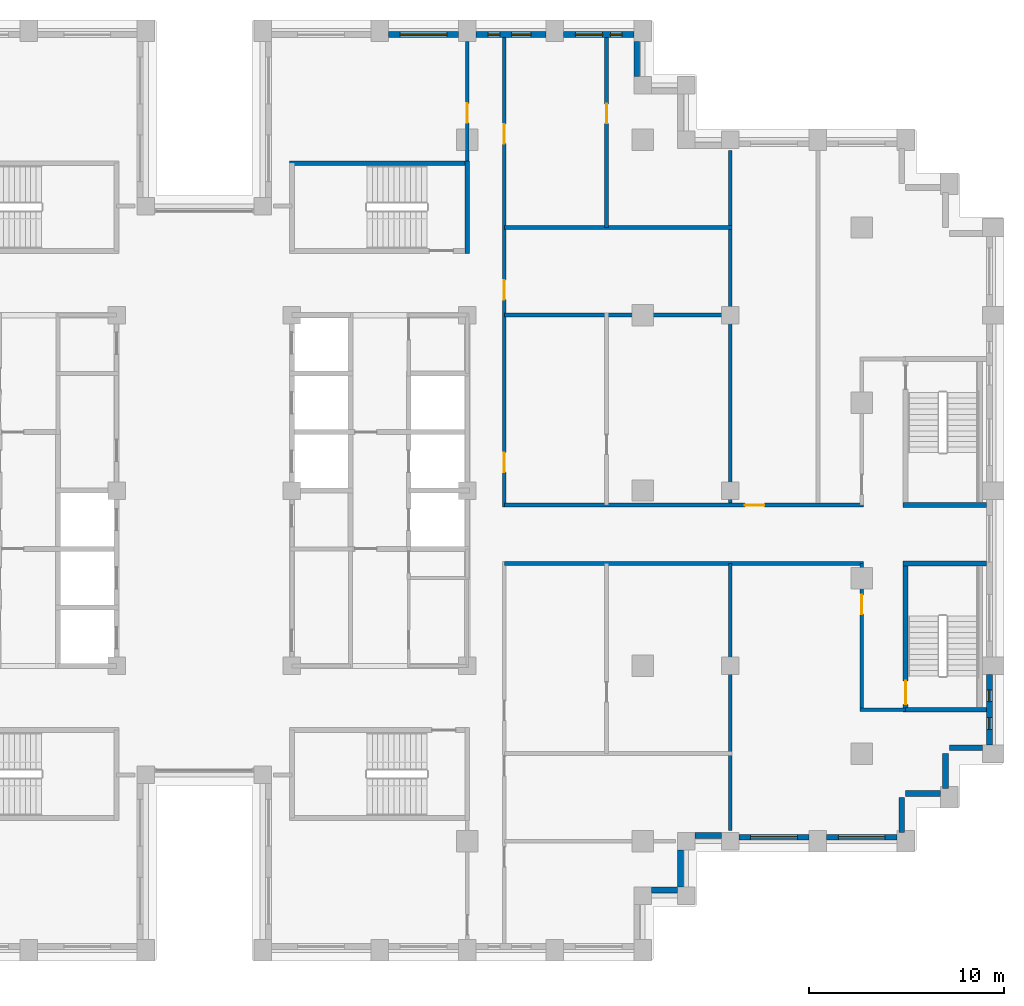
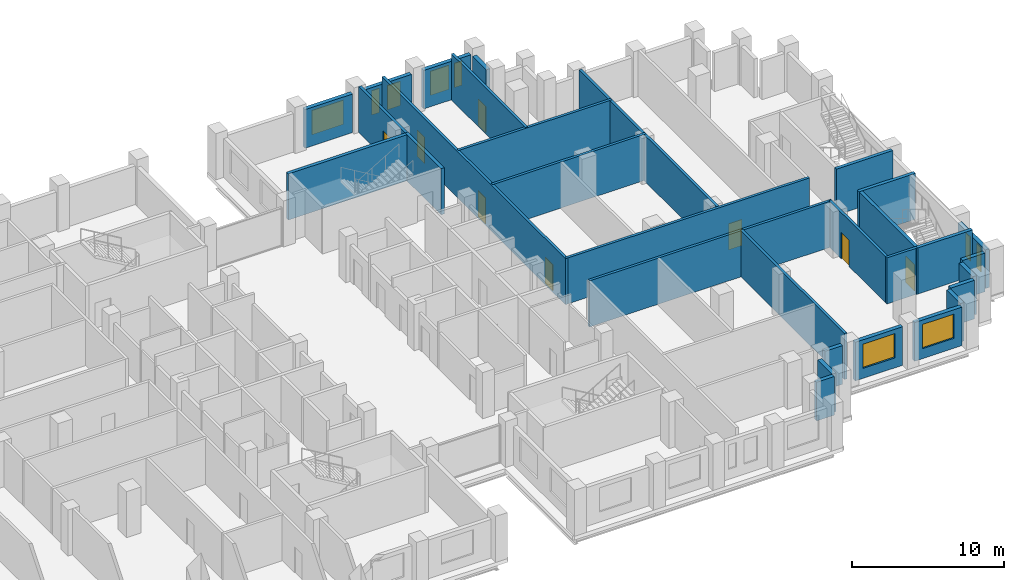
# One storey, part 11 of 15: 31 walls, 9 windows, 8 doors, 17 openings.
"""IFC4 building model written with IfcOpenShell, lengths in metres."""

from ifc_helpers import new_model, si_unit, direction, frame, frame_2d, origin, place, context, subcontext, project, spatial, rectangle, extrude, material, layer, layer_set, type_object, element, fill, save


model = new_model("IFC4")

# Units and contexts
model_context = context("Model", 3, precision=1e-05, world=origin(), true_north=direction((0.0, 1.0)))
body_context = subcontext(model_context, "Body", "Model", "MODEL_VIEW")
ifc_project = project(units=[si_unit("LENGTHUNIT", "METRE"), si_unit("AREAUNIT", "SQUARE_METRE"), si_unit("VOLUMEUNIT", "CUBIC_METRE"), si_unit("PLANEANGLEUNIT", "RADIAN"), si_unit("MASSUNIT", "GRAM", prefix="KILO")], contexts=[model_context])

# Site, building, storey
site_placement = place(None, origin())
site = spatial("IfcSite", under=ifc_project, at=site_placement, CompositionType="ELEMENT")
building_placement = place(site_placement, origin())
building = spatial("IfcBuilding", under=site, at=building_placement, Name="Corbelhall Arena Tower", CompositionType="ELEMENT")
storey_placement = place(building_placement, frame((0.0, 0.0, 134.0)))
storey = spatial("IfcBuildingStorey", under=building, at=storey_placement, Name="L25", CompositionType="ELEMENT", Elevation=134.0)

# Walls
ifc_material_1 = material(Name="Precast concrete C40/50 with granite facing", Category="masonry")
ifc_layer_1 = layer(ifc_material_1, 0.300048828125)
ifc_layer_set_1 = layer_set([ifc_layer_1], Name="EV-IW1 Infill panel 300")
wall_type_1 = type_object("IfcWallType", Name="EV-IW1 Infill panel 300", PredefinedType="SOLIDWALL", material=ifc_layer_set_1)
for number, where, z_axis, x_axis, name in (
    (1, (35.800048828125, -17.550048828125, 0.0), (0.0, 0.0, 1.0), (0.0, 1.0, 0.0), "Infill panel IW1"),
    (2, (37.800048828125, -15.550048828125, 0.0), (0.0, 0.0, 1.0), (-1.0, 0.0, 0.0), "Infill panel IW1"),
    (3, (38.050048828125, -15.300048828125, 0.0), (0.0, 0.0, 1.0), (0.0, 1.0, 0.0), "Infill panel IW1"),
):
    element("IfcWall", number, at=place(storey_placement, frame(where, z_axis=z_axis, x_axis=x_axis)), inside=storey, type_object=wall_type_1, Name=name, PredefinedType="SOLIDWALL", context=body_context, shape_type="SweptSolid", body=[
        extrude(rectangle(XDim=1.800048828125, YDim=0.300048828125, at=frame_2d((0.89990234375, 0.0))), origin(), (0.0, 0.0, 1.0), 3.10009765625),
    ])
wall_1_placement = place(storey_placement, frame((39.949951171875, -13.199951171875, 0.0), z_axis=(0.0, 0.0, 1.0), x_axis=(-1.0, 0.0, 0.0)))
element("IfcWall", 4, at=wall_1_placement, inside=storey, type_object=wall_type_1, Name="Infill panel IW1", PredefinedType="SOLIDWALL", context=body_context, shape_type="SweptSolid", body=[
    extrude(rectangle(XDim=1.699951171875, YDim=0.300048828125, at=frame_2d((0.85009765625, 0.0))), origin(), (0.0, 0.0, 1.0), 3.10009765625),
])
wall_2_placement = place(storey_placement, frame((22.949951171875, -20.5, 0.0), z_axis=(0.0, 0.0, 1.0), x_axis=(1.0, 0.0, 0.0)))
element("IfcWall", 5, at=wall_2_placement, inside=storey, type_object=wall_type_1, Name="Infill panel IW1", PredefinedType="SOLIDWALL", context=body_context, shape_type="SweptSolid", body=[
    extrude(rectangle(XDim=1.35009765625, YDim=0.300048828125, at=frame_2d((0.675048828125, 0.0))), origin(), (0.0, 0.0, 1.0), 3.10009765625),
])
wall_3_placement = place(storey_placement, frame((24.449951171875, -20.35009765625, 0.0), z_axis=(0.0, 0.0, 1.0), x_axis=(0.0, 1.0, 0.0)))
element("IfcWall", 6, at=wall_3_placement, inside=storey, type_object=wall_type_1, Name="Infill panel IW1", PredefinedType="SOLIDWALL", context=body_context, shape_type="SweptSolid", body=[
    extrude(rectangle(XDim=1.900146484375, YDim=0.300048828125, at=frame_2d((0.9501953125, 0.0))), origin(), (0.0, 0.0, 1.0), 3.10009765625),
])
wall_4_placement = place(storey_placement, frame((25.199951171875, -17.699951171875, 0.0), z_axis=(0.0, 0.0, 1.0), x_axis=(1.0, 0.0, 0.0)))
element("IfcWall", 7, at=wall_4_placement, inside=storey, type_object=wall_type_1, Name="Infill panel IW1", PredefinedType="SOLIDWALL", context=body_context, shape_type="SweptSolid", body=[
    extrude(rectangle(XDim=1.35009765625, YDim=0.300048828125, at=frame_2d((0.675048828125, 0.0))), origin(), (0.0, 0.0, 1.0), 3.10009765625),
])

# Wall, opening, window
wall_5_placement = place(storey_placement, frame((27.449951171875, -17.800048828125, 0.0), z_axis=(0.0, 0.0, 1.0), x_axis=(1.0, 0.0, 0.0)))
wall_5 = element("IfcWall", 8, at=wall_5_placement, inside=storey, type_object=wall_type_1, Name="Infill panel IW1", PredefinedType="SOLIDWALL", context=body_context, shape_type="SweptSolid", body=[
    extrude(rectangle(XDim=3.60009765625, YDim=0.300048828125, at=frame_2d((1.800048828125, 0.0))), origin(), (0.0, 0.0, 1.0), 3.10009765625),
])
opening_1_placement = place(wall_5_placement, frame((0.60009765625, 0.0, 0.800048828125)))
opening_1 = element("IfcOpeningElement", 9, at=opening_1_placement, cuts=wall_5, Name="Opening WN1", PredefinedType="OPENING", context=body_context, shape_type="SweptSolid", body=[
    extrude(rectangle(XDim=2.39990234375, YDim=1.949951171875, at=frame_2d((1.199951171875, 0.97509765625))), frame((0.0, 0.14990234375, 0.0), z_axis=(0.0, -1.0, 0.0), x_axis=(1.0, 0.0, 0.0)), (0.0, 0.0, 1.0), 0.300048828125),
])
ifc_material_2 = material(Name="Aluminium black anodised", Category="aluminium")
window_type_1 = type_object("IfcWindowType", Name="EV-WN1 Office window", PartitioningType="SINGLE_PANEL", PredefinedType="WINDOW", material=ifc_material_2)
window_1_placement = place(opening_1_placement, origin())
window_1 = element("IfcWindow", 10, at=window_1_placement, inside=storey, type_object=window_type_1, Name="Window WN1", OverallHeight=1.949951171875, OverallWidth=2.39990234375, PartitioningType="SINGLE_PANEL", PredefinedType="WINDOW", context=body_context, shape_type="SweptSolid", body=[
    extrude(rectangle(XDim=2.39990234375, YDim=1.949951171875, at=frame_2d((1.199951171875, 0.97509765625))), frame((0.0, 0.030029296875, 0.0), z_axis=(0.0, -1.0, 0.0), x_axis=(1.0, 0.0, 0.0)), (0.0, 0.0, 1.0), 0.06005859375),
])
fill(opening_1, window_1)

wall_6_placement = place(storey_placement, frame((31.949951171875, -17.800048828125, 0.0), z_axis=(0.0, 0.0, 1.0), x_axis=(1.0, 0.0, 0.0)))
wall_6 = element("IfcWall", 11, at=wall_6_placement, inside=storey, type_object=wall_type_1, Name="Infill panel IW1", PredefinedType="SOLIDWALL", context=body_context, shape_type="SweptSolid", body=[
    extrude(rectangle(XDim=3.60009765625, YDim=0.300048828125, at=frame_2d((1.800048828125, 0.0))), origin(), (0.0, 0.0, 1.0), 3.10009765625),
])
opening_2_placement = place(wall_6_placement, frame((0.60009765625, 0.0, 0.800048828125)))
opening_2 = element("IfcOpeningElement", 12, at=opening_2_placement, cuts=wall_6, Name="Opening WN1", PredefinedType="OPENING", context=body_context, shape_type="SweptSolid", body=[
    extrude(rectangle(XDim=2.39990234375, YDim=1.949951171875, at=frame_2d((1.199951171875, 0.97509765625))), frame((0.0, 0.14990234375, 0.0), z_axis=(0.0, -1.0, 0.0), x_axis=(1.0, 0.0, 0.0)), (0.0, 0.0, 1.0), 0.300048828125),
])
window_2_placement = place(opening_2_placement, origin())
window_2 = element("IfcWindow", 13, at=window_2_placement, inside=storey, type_object=window_type_1, Name="Window WN1", OverallHeight=1.949951171875, OverallWidth=2.39990234375, PartitioningType="SINGLE_PANEL", PredefinedType="WINDOW", context=body_context, shape_type="SweptSolid", body=[
    extrude(rectangle(XDim=2.39990234375, YDim=1.949951171875, at=frame_2d((1.199951171875, 0.97509765625))), frame((0.0, 0.030029296875, 0.0), z_axis=(0.0, -1.0, 0.0), x_axis=(1.0, 0.0, 0.0)), (0.0, 0.0, 1.0), 0.06005859375),
])
fill(opening_2, window_2)

# Wall, openings, windows
wall_7_placement = place(storey_placement, frame((40.300048828125, -13.050048828125, 0.0), z_axis=(0.0, 0.0, 1.0), x_axis=(0.0, 1.0, 0.0)))
wall_7 = element("IfcWall", 14, at=wall_7_placement, inside=storey, type_object=wall_type_1, Name="Infill panel IW1", PredefinedType="SOLIDWALL", context=body_context, shape_type="SweptSolid", body=[
    extrude(rectangle(XDim=3.60009765625, YDim=0.300048828125, at=frame_2d((1.800048828125, 0.0))), origin(), (0.0, 0.0, 1.0), 3.10009765625),
])
opening_3_placement = place(wall_7_placement, frame((0.78759765625, 0.0, 0.800048828125)))
opening_3 = element("IfcOpeningElement", 15, at=opening_3_placement, cuts=wall_7, Name="Opening WN5", PredefinedType="OPENING", context=body_context, shape_type="SweptSolid", body=[
    extrude(rectangle(XDim=0.60009765625, YDim=1.949951171875, at=frame_2d((0.300048828125, 0.97509765625))), frame((0.0, 0.14990234375, 0.0), z_axis=(0.0, -1.0, 0.0), x_axis=(1.0, 0.0, 0.0)), (0.0, 0.0, 1.0), 0.300048828125),
])
opening_4_placement = place(wall_7_placement, frame((2.21240234375, 0.0, 0.800048828125)))
opening_4 = element("IfcOpeningElement", 16, at=opening_4_placement, cuts=wall_7, Name="Opening WN5", PredefinedType="OPENING", context=body_context, shape_type="SweptSolid", body=[
    extrude(rectangle(XDim=0.60009765625, YDim=1.949951171875, at=frame_2d((0.300048828125, 0.97509765625))), frame((0.0, 0.14990234375, 0.0), z_axis=(0.0, -1.0, 0.0), x_axis=(1.0, 0.0, 0.0)), (0.0, 0.0, 1.0), 0.300048828125),
])
window_type_2 = type_object("IfcWindowType", Name="EV-WN5 Office window 600", PartitioningType="SINGLE_PANEL", PredefinedType="WINDOW", material=ifc_material_2)
window_3_placement = place(opening_3_placement, origin())
window_3 = element("IfcWindow", 17, at=window_3_placement, inside=storey, type_object=window_type_2, Name="Window WN5", OverallHeight=1.949951171875, OverallWidth=0.60009765625, PartitioningType="SINGLE_PANEL", PredefinedType="WINDOW", context=body_context, shape_type="SweptSolid", body=[
    extrude(rectangle(XDim=0.60009765625, YDim=1.949951171875, at=frame_2d((0.300048828125, 0.97509765625))), frame((0.0, 0.030029296875, 0.0), z_axis=(0.0, -1.0, 0.0), x_axis=(1.0, 0.0, 0.0)), (0.0, 0.0, 1.0), 0.06005859375),
])
fill(opening_3, window_3)
window_4_placement = place(opening_4_placement, origin())
window_4 = element("IfcWindow", 18, at=window_4_placement, inside=storey, type_object=window_type_2, Name="Window WN5", OverallHeight=1.949951171875, OverallWidth=0.60009765625, PartitioningType="SINGLE_PANEL", PredefinedType="WINDOW", context=body_context, shape_type="SweptSolid", body=[
    extrude(rectangle(XDim=0.60009765625, YDim=1.949951171875, at=frame_2d((0.300048828125, 0.97509765625))), frame((0.0, 0.030029296875, 0.0), z_axis=(0.0, -1.0, 0.0), x_axis=(1.0, 0.0, 0.0)), (0.0, 0.0, 1.0), 0.06005859375),
])
fill(opening_4, window_4)

# Wall
wall_8_placement = place(storey_placement, frame((22.199951171875, 21.25, 0.0), z_axis=(0.0, 0.0, 1.0), x_axis=(0.0, 1.0, 0.0)))
element("IfcWall", 19, at=wall_8_placement, inside=storey, type_object=wall_type_1, Name="Infill panel IW1", PredefinedType="SOLIDWALL", context=body_context, shape_type="SweptSolid", body=[
    extrude(rectangle(XDim=1.800048828125, YDim=0.300048828125, at=frame_2d((0.89990234375, 0.0))), origin(), (0.0, 0.0, 1.0), 3.10009765625),
])

# Wall, openings, windows
wall_9_placement = place(storey_placement, frame((22.050048828125, 23.39990234375, 0.0), z_axis=(0.0, 0.0, 1.0), x_axis=(-1.0, 0.0, 0.0)))
wall_9 = element("IfcWall", 20, at=wall_9_placement, inside=storey, type_object=wall_type_1, Name="Infill panel IW1", PredefinedType="SOLIDWALL", context=body_context, shape_type="SweptSolid", body=[
    extrude(rectangle(XDim=3.60009765625, YDim=0.300048828125, at=frame_2d((1.800048828125, 0.0))), origin(), (0.0, 0.0, 1.0), 3.10009765625),
])
opening_5_placement = place(wall_9_placement, frame((0.60009765625, 0.0, 0.800048828125)))
opening_5 = element("IfcOpeningElement", 21, at=opening_5_placement, cuts=wall_9, Name="Opening WN5", PredefinedType="OPENING", context=body_context, shape_type="SweptSolid", body=[
    extrude(rectangle(XDim=0.60009765625, YDim=1.949951171875, at=frame_2d((0.300048828125, 0.97509765625))), frame((0.0, 0.14990234375, 0.0), z_axis=(0.0, -1.0, 0.0), x_axis=(1.0, 0.0, 0.0)), (0.0, 0.0, 1.0), 0.300048828125),
])
opening_6_placement = place(wall_9_placement, frame((1.60009765625, 0.0, 0.800048828125)))
opening_6 = element("IfcOpeningElement", 22, at=opening_6_placement, cuts=wall_9, Name="Opening WN7", PredefinedType="OPENING", context=body_context, shape_type="SweptSolid", body=[
    extrude(rectangle(XDim=1.39990234375, YDim=1.949951171875, at=frame_2d((0.699951171875, 0.97509765625))), frame((0.0, 0.14990234375, 0.0), z_axis=(0.0, -1.0, 0.0), x_axis=(1.0, 0.0, 0.0)), (0.0, 0.0, 1.0), 0.300048828125),
])
window_5_placement = place(opening_5_placement, origin())
window_5 = element("IfcWindow", 23, at=window_5_placement, inside=storey, type_object=window_type_2, Name="Window WN5", OverallHeight=1.949951171875, OverallWidth=0.60009765625, PartitioningType="SINGLE_PANEL", PredefinedType="WINDOW", context=body_context, shape_type="SweptSolid", body=[
    extrude(rectangle(XDim=0.60009765625, YDim=1.949951171875, at=frame_2d((0.300048828125, 0.97509765625))), frame((0.0, 0.030029296875, 0.0), z_axis=(0.0, -1.0, 0.0), x_axis=(1.0, 0.0, 0.0)), (0.0, 0.0, 1.0), 0.06005859375),
])
fill(opening_5, window_5)
window_type_3 = type_object("IfcWindowType", Name="EV-WN7 Office window 1400", PartitioningType="SINGLE_PANEL", PredefinedType="WINDOW", material=ifc_material_2)
window_6_placement = place(opening_6_placement, origin())
window_6 = element("IfcWindow", 24, at=window_6_placement, inside=storey, type_object=window_type_3, Name="Window WN7", OverallHeight=1.949951171875, OverallWidth=1.39990234375, PartitioningType="SINGLE_PANEL", PredefinedType="WINDOW", context=body_context, shape_type="SweptSolid", body=[
    extrude(rectangle(XDim=1.39990234375, YDim=1.949951171875, at=frame_2d((0.699951171875, 0.97509765625))), frame((0.0, 0.030029296875, 0.0), z_axis=(0.0, -1.0, 0.0), x_axis=(1.0, 0.0, 0.0)), (0.0, 0.0, 1.0), 0.06005859375),
])
fill(opening_6, window_6)

wall_10_placement = place(storey_placement, frame((17.550048828125, 23.39990234375, 0.0), z_axis=(0.0, 0.0, 1.0), x_axis=(-1.0, 0.0, 0.0)))
wall_10 = element("IfcWall", 25, at=wall_10_placement, inside=storey, type_object=wall_type_1, Name="Infill panel IW1", PredefinedType="SOLIDWALL", context=body_context, shape_type="SweptSolid", body=[
    extrude(rectangle(XDim=3.60009765625, YDim=0.300048828125, at=frame_2d((1.800048828125, 0.0))), origin(), (0.0, 0.0, 1.0), 3.10009765625),
])
opening_7_placement = place(wall_10_placement, frame((0.77490234375, 0.0, 0.800048828125)))
opening_7 = element("IfcOpeningElement", 26, at=opening_7_placement, cuts=wall_10, Name="Opening WN6", PredefinedType="OPENING", context=body_context, shape_type="SweptSolid", body=[
    extrude(rectangle(XDim=1.0, YDim=1.949951171875, at=frame_2d((0.5, 0.97509765625))), frame((0.0, 0.14990234375, 0.0), z_axis=(0.0, -1.0, 0.0), x_axis=(1.0, 0.0, 0.0)), (0.0, 0.0, 1.0), 0.300048828125),
])
opening_8_placement = place(wall_10_placement, frame((2.375, 0.0, 0.800048828125)))
opening_8 = element("IfcOpeningElement", 27, at=opening_8_placement, cuts=wall_10, Name="Opening WN5", PredefinedType="OPENING", context=body_context, shape_type="SweptSolid", body=[
    extrude(rectangle(XDim=0.60009765625, YDim=1.949951171875, at=frame_2d((0.300048828125, 0.97509765625))), frame((0.0, 0.14990234375, 0.0), z_axis=(0.0, -1.0, 0.0), x_axis=(1.0, 0.0, 0.0)), (0.0, 0.0, 1.0), 0.300048828125),
])
window_7_placement = place(opening_8_placement, origin())
window_7 = element("IfcWindow", 28, at=window_7_placement, inside=storey, type_object=window_type_2, Name="Window WN5", OverallHeight=1.949951171875, OverallWidth=0.60009765625, PartitioningType="SINGLE_PANEL", PredefinedType="WINDOW", context=body_context, shape_type="SweptSolid", body=[
    extrude(rectangle(XDim=0.60009765625, YDim=1.949951171875, at=frame_2d((0.300048828125, 0.97509765625))), frame((0.0, 0.030029296875, 0.0), z_axis=(0.0, -1.0, 0.0), x_axis=(1.0, 0.0, 0.0)), (0.0, 0.0, 1.0), 0.06005859375),
])
fill(opening_8, window_7)
window_type_4 = type_object("IfcWindowType", Name="EV-WN6 Office window 1000", PartitioningType="SINGLE_PANEL", PredefinedType="WINDOW", material=ifc_material_2)
window_8_placement = place(opening_7_placement, origin())
window_8 = element("IfcWindow", 29, at=window_8_placement, inside=storey, type_object=window_type_4, Name="Window WN6", OverallHeight=1.949951171875, OverallWidth=1.0, PartitioningType="SINGLE_PANEL", PredefinedType="WINDOW", context=body_context, shape_type="SweptSolid", body=[
    extrude(rectangle(XDim=1.0, YDim=1.949951171875, at=frame_2d((0.5, 0.97509765625))), frame((0.0, 0.030029296875, 0.0), z_axis=(0.0, -1.0, 0.0), x_axis=(1.0, 0.0, 0.0)), (0.0, 0.0, 1.0), 0.06005859375),
])
fill(opening_7, window_8)

# Wall, opening, window
wall_11_placement = place(storey_placement, frame((13.050048828125, 23.39990234375, 0.0), z_axis=(0.0, 0.0, 1.0), x_axis=(-1.0, 0.0, 0.0)))
wall_11 = element("IfcWall", 30, at=wall_11_placement, inside=storey, type_object=wall_type_1, Name="Infill panel IW1", PredefinedType="SOLIDWALL", context=body_context, shape_type="SweptSolid", body=[
    extrude(rectangle(XDim=3.60009765625, YDim=0.300048828125, at=frame_2d((1.800048828125, 0.0))), origin(), (0.0, 0.0, 1.0), 3.10009765625),
])
opening_9_placement = place(wall_11_placement, frame((0.60009765625, 0.0, 0.800048828125)))
opening_9 = element("IfcOpeningElement", 31, at=opening_9_placement, cuts=wall_11, Name="Opening WN1", PredefinedType="OPENING", context=body_context, shape_type="SweptSolid", body=[
    extrude(rectangle(XDim=2.39990234375, YDim=1.949951171875, at=frame_2d((1.199951171875, 0.97509765625))), frame((0.0, 0.14990234375, 0.0), z_axis=(0.0, -1.0, 0.0), x_axis=(1.0, 0.0, 0.0)), (0.0, 0.0, 1.0), 0.300048828125),
])
window_9_placement = place(opening_9_placement, origin())
window_9 = element("IfcWindow", 32, at=window_9_placement, inside=storey, type_object=window_type_1, Name="Window WN1", OverallHeight=1.949951171875, OverallWidth=2.39990234375, PartitioningType="SINGLE_PANEL", PredefinedType="WINDOW", context=body_context, shape_type="SweptSolid", body=[
    extrude(rectangle(XDim=2.39990234375, YDim=1.949951171875, at=frame_2d((1.199951171875, 0.97509765625))), frame((0.0, 0.030029296875, 0.0), z_axis=(0.0, -1.0, 0.0), x_axis=(1.0, 0.0, 0.0)), (0.0, 0.0, 1.0), 0.06005859375),
])
fill(opening_9, window_9)

# Wall, opening, door
ifc_material_3 = material(Name="Gypsum board on steel stud, acoustic", Category="steel")
ifc_layer_2 = layer(ifc_material_3, 0.199951171875)
ifc_layer_set_2 = layer_set([ifc_layer_2], Name="IN-W-DM200")
wall_type_2 = type_object("IfcWallType", Name="IN-W-DM200", PredefinedType="PARTITIONING", material=ifc_layer_set_2)
wall_12_placement = place(storey_placement, frame((13.5, 16.675048828125, 0.0), z_axis=(0.0, 0.0, 1.0), x_axis=(0.0, 1.0, 0.0)))
wall_12 = element("IfcWall", 33, at=wall_12_placement, inside=storey, type_object=wall_type_2, Name="Partition 028", PredefinedType="PARTITIONING", context=body_context, shape_type="SweptSolid", body=[
    extrude(rectangle(XDim=6.375, YDim=0.199951171875, at=frame_2d((3.1875, 0.0))), origin(), (0.0, 0.0, 1.0), 3.699951171875),
])
opening_10_placement = place(wall_12_placement, frame((2.199951171875, 0.0, 0.0)))
opening_10 = element("IfcOpeningElement", 34, at=opening_10_placement, cuts=wall_12, Name="Opening 06024", PredefinedType="OPENING", context=body_context, shape_type="SweptSolid", body=[
    extrude(rectangle(XDim=1.0, YDim=2.10009765625, at=frame_2d((0.5, 1.050048828125))), frame((0.0, 0.10009765625, 0.0), z_axis=(0.0, -1.0, 0.0), x_axis=(1.0, 0.0, 0.0)), (0.0, 0.0, 1.0), 0.199951171875),
])
ifc_material_4 = material(Name="Steel door set", Category="steel")
door_type_1 = type_object("IfcDoorType", Name="IN-D-SW100", OperationType="NOTDEFINED", PredefinedType="DOOR", material=ifc_material_4)
door_1_placement = place(opening_10_placement, origin())
door_1 = element("IfcDoor", 35, at=door_1_placement, inside=storey, type_object=door_type_1, Name="Door 024", OperationType="SINGLE_SWING_LEFT", OverallHeight=2.10009765625, OverallWidth=1.0, PredefinedType="DOOR", context=body_context, shape_type="SweptSolid", body=[
    extrude(rectangle(XDim=1.0, YDim=2.10009765625, at=frame_2d((0.5, 1.050048828125))), frame((0.0, 0.02490234375, 0.0), z_axis=(0.0, -1.0, 0.0), x_axis=(1.0, 0.0, 0.0)), (0.0, 0.0, 1.0), 0.050048828125),
])
fill(opening_10, door_1)

wall_13_placement = place(storey_placement, frame((15.39990234375, -0.75, 0.0), z_axis=(0.0, 0.0, 1.0), x_axis=(1.0, 0.0, 0.0)))
wall_13 = element("IfcWall", 36, at=wall_13_placement, inside=storey, type_object=wall_type_2, Name="Partition 032", PredefinedType="PARTITIONING", context=body_context, shape_type="SweptSolid", body=[
    extrude(rectangle(XDim=18.4501953125, YDim=0.199951171875, at=frame_2d((9.22509765625, 0.0))), origin(), (0.0, 0.0, 1.0), 3.699951171875),
])
opening_11_placement = place(wall_13_placement, frame((12.35009765625, 0.0, 0.0)))
opening_11 = element("IfcOpeningElement", 37, at=opening_11_placement, cuts=wall_13, Name="Opening 06046", PredefinedType="OPENING", context=body_context, shape_type="SweptSolid", body=[
    extrude(rectangle(XDim=1.0, YDim=2.10009765625, at=frame_2d((0.5, 1.050048828125))), frame((0.0, 0.10009765625, 0.0), z_axis=(0.0, -1.0, 0.0), x_axis=(1.0, 0.0, 0.0)), (0.0, 0.0, 1.0), 0.199951171875),
])
door_2_placement = place(opening_11_placement, origin())
door_2 = element("IfcDoor", 38, at=door_2_placement, inside=storey, type_object=door_type_1, Name="Door 046", OperationType="SINGLE_SWING_LEFT", OverallHeight=2.10009765625, OverallWidth=1.0, PredefinedType="DOOR", context=body_context, shape_type="SweptSolid", body=[
    extrude(rectangle(XDim=1.0, YDim=2.10009765625, at=frame_2d((0.5, 1.050048828125))), frame((0.0, 0.02490234375, 0.0), z_axis=(0.0, -1.0, 0.0), x_axis=(1.0, 0.0, 0.0)), (0.0, 0.0, 1.0), 0.050048828125),
])
fill(opening_11, door_2)

# Wall
wall_14_placement = place(storey_placement, frame((15.39990234375, 9.0, 0.0), z_axis=(0.0, 0.0, 1.0), x_axis=(1.0, 0.0, 0.0)))
element("IfcWall", 39, at=wall_14_placement, inside=storey, type_object=wall_type_2, Name="Partition 033", PredefinedType="PARTITIONING", context=body_context, shape_type="SweptSolid", body=[
    extrude(rectangle(XDim=11.7001953125, YDim=0.199951171875, at=frame_2d((5.85009765625, 0.0))), origin(), (0.0, 0.0, 1.0), 3.699951171875),
])

# Wall, openings, doors
wall_15_placement = place(storey_placement, frame((15.39990234375, 23.25, 0.0), z_axis=(0.0, 0.0, 1.0), x_axis=(0.0, -1.0, 0.0)))
wall_15 = element("IfcWall", 40, at=wall_15_placement, inside=storey, type_object=wall_type_2, Name="Partition 034", PredefinedType="PARTITIONING", context=body_context, shape_type="SweptSolid", body=[
    extrude(rectangle(XDim=24.10009765625, YDim=0.199951171875, at=frame_2d((12.050048828125, 0.0))), origin(), (0.0, 0.0, 1.0), 3.699951171875),
])
opening_12_placement = place(wall_15_placement, frame((21.300048828125, 0.0, 0.0)))
opening_12 = element("IfcOpeningElement", 41, at=opening_12_placement, cuts=wall_15, Name="Opening 06034", PredefinedType="OPENING", context=body_context, shape_type="SweptSolid", body=[
    extrude(rectangle(XDim=1.0, YDim=2.10009765625, at=frame_2d((0.5, 1.050048828125))), frame((0.0, 0.10009765625, 0.0), z_axis=(0.0, -1.0, 0.0), x_axis=(1.0, 0.0, 0.0)), (0.0, 0.0, 1.0), 0.199951171875),
])
opening_13_placement = place(wall_15_placement, frame((12.449951171875, 0.0, 0.0)))
opening_13 = element("IfcOpeningElement", 42, at=opening_13_placement, cuts=wall_15, Name="Opening 06036", PredefinedType="OPENING", context=body_context, shape_type="SweptSolid", body=[
    extrude(rectangle(XDim=1.0, YDim=2.10009765625, at=frame_2d((0.5, 1.050048828125))), frame((0.0, 0.10009765625, 0.0), z_axis=(0.0, -1.0, 0.0), x_axis=(1.0, 0.0, 0.0)), (0.0, 0.0, 1.0), 0.199951171875),
])
opening_14_placement = place(wall_15_placement, frame((4.449951171875, 0.0, 0.0)))
opening_14 = element("IfcOpeningElement", 43, at=opening_14_placement, cuts=wall_15, Name="Opening 06037", PredefinedType="OPENING", context=body_context, shape_type="SweptSolid", body=[
    extrude(rectangle(XDim=1.0, YDim=2.10009765625, at=frame_2d((0.5, 1.050048828125))), frame((0.0, 0.10009765625, 0.0), z_axis=(0.0, -1.0, 0.0), x_axis=(1.0, 0.0, 0.0)), (0.0, 0.0, 1.0), 0.199951171875),
])
door_3_placement = place(opening_12_placement, origin())
door_3 = element("IfcDoor", 44, at=door_3_placement, inside=storey, type_object=door_type_1, Name="Door 034", OperationType="SINGLE_SWING_LEFT", OverallHeight=2.10009765625, OverallWidth=1.0, PredefinedType="DOOR", context=body_context, shape_type="SweptSolid", body=[
    extrude(rectangle(XDim=1.0, YDim=2.10009765625, at=frame_2d((0.5, 1.050048828125))), frame((0.0, 0.02490234375, 0.0), z_axis=(0.0, -1.0, 0.0), x_axis=(1.0, 0.0, 0.0)), (0.0, 0.0, 1.0), 0.050048828125),
])
fill(opening_12, door_3)
door_4_placement = place(opening_13_placement, origin())
door_4 = element("IfcDoor", 45, at=door_4_placement, inside=storey, type_object=door_type_1, Name="Door 036", OperationType="SINGLE_SWING_LEFT", OverallHeight=2.10009765625, OverallWidth=1.0, PredefinedType="DOOR", context=body_context, shape_type="SweptSolid", body=[
    extrude(rectangle(XDim=1.0, YDim=2.10009765625, at=frame_2d((0.5, 1.050048828125))), frame((0.0, 0.02490234375, 0.0), z_axis=(0.0, -1.0, 0.0), x_axis=(1.0, 0.0, 0.0)), (0.0, 0.0, 1.0), 0.050048828125),
])
fill(opening_13, door_4)
door_5_placement = place(opening_14_placement, origin())
door_5 = element("IfcDoor", 46, at=door_5_placement, inside=storey, type_object=door_type_1, Name="Door 037", OperationType="SINGLE_SWING_RIGHT", OverallHeight=2.10009765625, OverallWidth=1.0, PredefinedType="DOOR", context=body_context, shape_type="SweptSolid", body=[
    extrude(rectangle(XDim=1.0, YDim=2.10009765625, at=frame_2d((0.5, 1.050048828125))), frame((0.0, 0.02490234375, 0.0), z_axis=(0.0, -1.0, 0.0), x_axis=(1.0, 0.0, 0.0)), (0.0, 0.0, 1.0), 0.050048828125),
])
fill(opening_14, door_5)

# Wall
wall_16_placement = place(storey_placement, frame((15.39990234375, 13.5, 0.0), z_axis=(0.0, 0.0, 1.0), x_axis=(1.0, 0.0, 0.0)))
element("IfcWall", 47, at=wall_16_placement, inside=storey, type_object=wall_type_2, Name="Partition 035", PredefinedType="PARTITIONING", context=body_context, shape_type="SweptSolid", body=[
    extrude(rectangle(XDim=11.7001953125, YDim=0.199951171875, at=frame_2d((5.85009765625, 0.0))), origin(), (0.0, 0.0, 1.0), 3.699951171875),
])

# Wall, opening, door
wall_17_placement = place(storey_placement, frame((20.64990234375, 23.25, 0.0), z_axis=(0.0, 0.0, 1.0), x_axis=(0.0, -1.0, 0.0)))
wall_17 = element("IfcWall", 48, at=wall_17_placement, inside=storey, type_object=wall_type_2, Name="Partition 038", PredefinedType="PARTITIONING", context=body_context, shape_type="SweptSolid", body=[
    extrude(rectangle(XDim=9.75, YDim=0.199951171875, at=frame_2d((4.875, 0.0))), origin(), (0.0, 0.0, 1.0), 3.699951171875),
])
opening_15_placement = place(wall_17_placement, frame((3.39990234375, 0.0, 0.0)))
opening_15 = element("IfcOpeningElement", 49, at=opening_15_placement, cuts=wall_17, Name="Opening 06038", PredefinedType="OPENING", context=body_context, shape_type="SweptSolid", body=[
    extrude(rectangle(XDim=1.0, YDim=2.10009765625, at=frame_2d((0.5, 1.050048828125))), frame((0.0, 0.10009765625, 0.0), z_axis=(0.0, -1.0, 0.0), x_axis=(1.0, 0.0, 0.0)), (0.0, 0.0, 1.0), 0.199951171875),
])
door_6_placement = place(opening_15_placement, origin())
door_6 = element("IfcDoor", 50, at=door_6_placement, inside=storey, type_object=door_type_1, Name="Door 038", OperationType="SINGLE_SWING_LEFT", OverallHeight=2.10009765625, OverallWidth=1.0, PredefinedType="DOOR", context=body_context, shape_type="SweptSolid", body=[
    extrude(rectangle(XDim=1.0, YDim=2.10009765625, at=frame_2d((0.5, 1.050048828125))), frame((0.0, 0.02490234375, 0.0), z_axis=(0.0, -1.0, 0.0), x_axis=(1.0, 0.0, 0.0)), (0.0, 0.0, 1.0), 0.050048828125),
])
fill(opening_15, door_6)

# Walls
wall_18_placement = place(storey_placement, frame((33.85009765625, -3.75, 0.0), z_axis=(0.0, 0.0, 1.0), x_axis=(-1.0, 0.0, 0.0)))
element("IfcWall", 51, at=wall_18_placement, inside=storey, type_object=wall_type_2, Name="Partition 039", PredefinedType="PARTITIONING", context=body_context, shape_type="SweptSolid", body=[
    extrude(rectangle(XDim=18.4501953125, YDim=0.199951171875, at=frame_2d((9.22509765625, 0.0))), origin(), (0.0, 0.0, 1.0), 3.699951171875),
])
wall_19_placement = place(storey_placement, frame((27.0, -3.75, 0.0), z_axis=(0.0, 0.0, 1.0), x_axis=(0.0, -1.0, 0.0)))
element("IfcWall", 52, at=wall_19_placement, inside=storey, type_object=wall_type_2, Name="Partition 040", PredefinedType="PARTITIONING", context=body_context, shape_type="SweptSolid", body=[
    extrude(rectangle(XDim=13.699951171875, YDim=0.199951171875, at=frame_2d((6.85009765625, 0.0))), origin(), (0.0, 0.0, 1.0), 3.699951171875),
])
wall_20_placement = place(storey_placement, frame((27.0, 17.449951171875, 0.0), z_axis=(0.0, 0.0, 1.0), x_axis=(0.0, -1.0, 0.0)))
element("IfcWall", 53, at=wall_20_placement, inside=storey, type_object=wall_type_2, Name="Partition 041", PredefinedType="PARTITIONING", context=body_context, shape_type="SweptSolid", body=[
    extrude(rectangle(XDim=18.199951171875, YDim=0.199951171875, at=frame_2d((9.10009765625, 0.0))), origin(), (0.0, 0.0, 1.0), 3.699951171875),
])

# Wall, opening, door
wall_21_placement = place(storey_placement, frame((33.75, -11.25, 0.0), z_axis=(0.0, 0.0, 1.0), x_axis=(0.0, 1.0, 0.0)))
wall_21 = element("IfcWall", 54, at=wall_21_placement, inside=storey, type_object=wall_type_2, Name="Partition 044", PredefinedType="PARTITIONING", context=body_context, shape_type="SweptSolid", body=[
    extrude(rectangle(XDim=7.5, YDim=0.199951171875, at=frame_2d((3.75, 0.0))), origin(), (0.0, 0.0, 1.0), 3.699951171875),
])
opening_16_placement = place(wall_21_placement, frame((4.89990234375, 0.0, 0.0)))
opening_16 = element("IfcOpeningElement", 55, at=opening_16_placement, cuts=wall_21, Name="Opening 06048", PredefinedType="OPENING", context=body_context, shape_type="SweptSolid", body=[
    extrude(rectangle(XDim=1.0, YDim=2.10009765625, at=frame_2d((0.5, 1.050048828125))), frame((0.0, 0.10009765625, 0.0), z_axis=(0.0, -1.0, 0.0), x_axis=(1.0, 0.0, 0.0)), (0.0, 0.0, 1.0), 0.199951171875),
])
door_7_placement = place(opening_16_placement, origin())
door_7 = element("IfcDoor", 56, at=door_7_placement, inside=storey, type_object=door_type_1, Name="Door 048", OperationType="SINGLE_SWING_LEFT", OverallHeight=2.10009765625, OverallWidth=1.0, PredefinedType="DOOR", context=body_context, shape_type="SweptSolid", body=[
    extrude(rectangle(XDim=1.0, YDim=2.10009765625, at=frame_2d((0.5, 1.050048828125))), frame((0.0, 0.02490234375, 0.0), z_axis=(0.0, -1.0, 0.0), x_axis=(1.0, 0.0, 0.0)), (0.0, 0.0, 1.0), 0.050048828125),
])
fill(opening_16, door_7)

# Walls
wall_22_placement = place(storey_placement, frame((36.0, -11.25, 0.0), z_axis=(0.0, 0.0, 1.0), x_axis=(-1.0, 0.0, 0.0)))
element("IfcWall", 57, at=wall_22_placement, inside=storey, type_object=wall_type_2, Name="Partition 046", PredefinedType="PARTITIONING", context=body_context, shape_type="SweptSolid", body=[
    extrude(rectangle(XDim=2.35009765625, YDim=0.199951171875, at=frame_2d((1.175048828125, 0.0))), origin(), (0.0, 0.0, 1.0), 3.699951171875),
])
ifc_material_5 = material(Name="Concrete C40/50", Category="concrete")
ifc_layer_3 = layer(ifc_material_5, 0.25)
ifc_layer_set_3 = layer_set([ifc_layer_3], Name="IN-W-ST250")
wall_type_3 = type_object("IfcWallType", Name="IN-W-ST250", PredefinedType="SOLIDWALL", material=ifc_layer_set_3)
wall_23_placement = place(storey_placement, frame((4.375, 16.800048828125, 0.0), z_axis=(0.0, 0.0, 1.0), x_axis=(1.0, 0.0, 0.0)))
element("IfcWall", 58, at=wall_23_placement, inside=storey, type_object=wall_type_3, Name="Shaft wall 101", PredefinedType="SOLIDWALL", context=body_context, shape_type="SweptSolid", body=[
    extrude(rectangle(XDim=9.125, YDim=0.25, at=frame_2d((4.5625, 0.0))), origin(), (0.0, 0.0, 1.0), 3.699951171875),
])
wall_24_placement = place(storey_placement, frame((13.5, 12.175048828125, 0.0), z_axis=(0.0, 0.0, 1.0), x_axis=(0.0, 1.0, 0.0)))
element("IfcWall", 59, at=wall_24_placement, inside=storey, type_object=wall_type_3, Name="Shaft wall 107", PredefinedType="SOLIDWALL", context=body_context, shape_type="SweptSolid", body=[
    extrude(rectangle(XDim=4.75, YDim=0.25, at=frame_2d((2.375, 0.0))), origin(), (0.0, 0.0, 1.0), 3.699951171875),
])
wall_25_placement = place(storey_placement, frame((35.875, -0.75, 0.0), z_axis=(0.0, 0.0, 1.0), x_axis=(1.0, 0.0, 0.0)))
element("IfcWall", 60, at=wall_25_placement, inside=storey, type_object=wall_type_3, Name="Shaft wall 108", PredefinedType="SOLIDWALL", context=body_context, shape_type="SweptSolid", body=[
    extrude(rectangle(XDim=4.27490234375, YDim=0.25, at=frame_2d((2.137451171875, 0.0))), origin(), (0.0, 0.0, 1.0), 3.699951171875),
])

# Wall, opening, door
wall_26_placement = place(storey_placement, frame((36.0, -11.375, 0.0), z_axis=(0.0, 0.0, 1.0), x_axis=(0.0, 1.0, 0.0)))
wall_26 = element("IfcWall", 61, at=wall_26_placement, inside=storey, type_object=wall_type_3, Name="Shaft wall 109", PredefinedType="SOLIDWALL", context=body_context, shape_type="SweptSolid", body=[
    extrude(rectangle(XDim=7.625, YDim=0.25, at=frame_2d((3.8125, 0.0))), origin(), (0.0, 0.0, 1.0), 3.699951171875),
])
opening_17_placement = place(wall_26_placement, frame((0.39990234375, 0.0, 0.0)))
opening_17 = element("IfcOpeningElement", 62, at=opening_17_placement, cuts=wall_26, Name="Opening 06021", PredefinedType="OPENING", context=body_context, shape_type="SweptSolid", body=[
    extrude(rectangle(XDim=1.199951171875, YDim=2.10009765625, at=frame_2d((0.60009765625, 1.050048828125))), frame((0.0, 0.125, 0.0), z_axis=(0.0, -1.0, 0.0), x_axis=(1.0, 0.0, 0.0)), (0.0, 0.0, 1.0), 0.25),
])
door_type_2 = type_object("IfcDoorType", Name="IN-D-ST120", OperationType="NOTDEFINED", PredefinedType="DOOR", material=ifc_material_4)
door_8_placement = place(opening_17_placement, origin())
door_8 = element("IfcDoor", 63, at=door_8_placement, inside=storey, type_object=door_type_2, Name="Door 021", OperationType="SINGLE_SWING_RIGHT", OverallHeight=2.10009765625, OverallWidth=1.199951171875, PredefinedType="DOOR", context=body_context, shape_type="SweptSolid", body=[
    extrude(rectangle(XDim=1.199951171875, YDim=2.10009765625, at=frame_2d((0.60009765625, 1.050048828125))), frame((0.0, 0.02490234375, 0.0), z_axis=(0.0, -1.0, 0.0), x_axis=(1.0, 0.0, 0.0)), (0.0, 0.0, 1.0), 0.050048828125),
])
fill(opening_17, door_8)

# Walls
wall_27_placement = place(storey_placement, frame((40.14990234375, -11.25, 0.0), z_axis=(0.0, 0.0, 1.0), x_axis=(-1.0, 0.0, 0.0)))
element("IfcWall", 64, at=wall_27_placement, inside=storey, type_object=wall_type_3, Name="Shaft wall 112", PredefinedType="SOLIDWALL", context=body_context, shape_type="SweptSolid", body=[
    extrude(rectangle(XDim=4.14990234375, YDim=0.25, at=frame_2d((2.074951171875, 0.0))), origin(), (0.0, 0.0, 1.0), 3.699951171875),
])
wall_28_placement = place(storey_placement, frame((40.14990234375, -3.75, 0.0), z_axis=(0.0, 0.0, 1.0), x_axis=(-1.0, 0.0, 0.0)))
element("IfcWall", 65, at=wall_28_placement, inside=storey, type_object=wall_type_3, Name="Shaft wall 113", PredefinedType="SOLIDWALL", context=body_context, shape_type="SweptSolid", body=[
    extrude(rectangle(XDim=4.27490234375, YDim=0.25, at=frame_2d((2.137451171875, 0.0))), origin(), (0.0, 0.0, 1.0), 3.699951171875),
])

save(model, "model.ifc")
